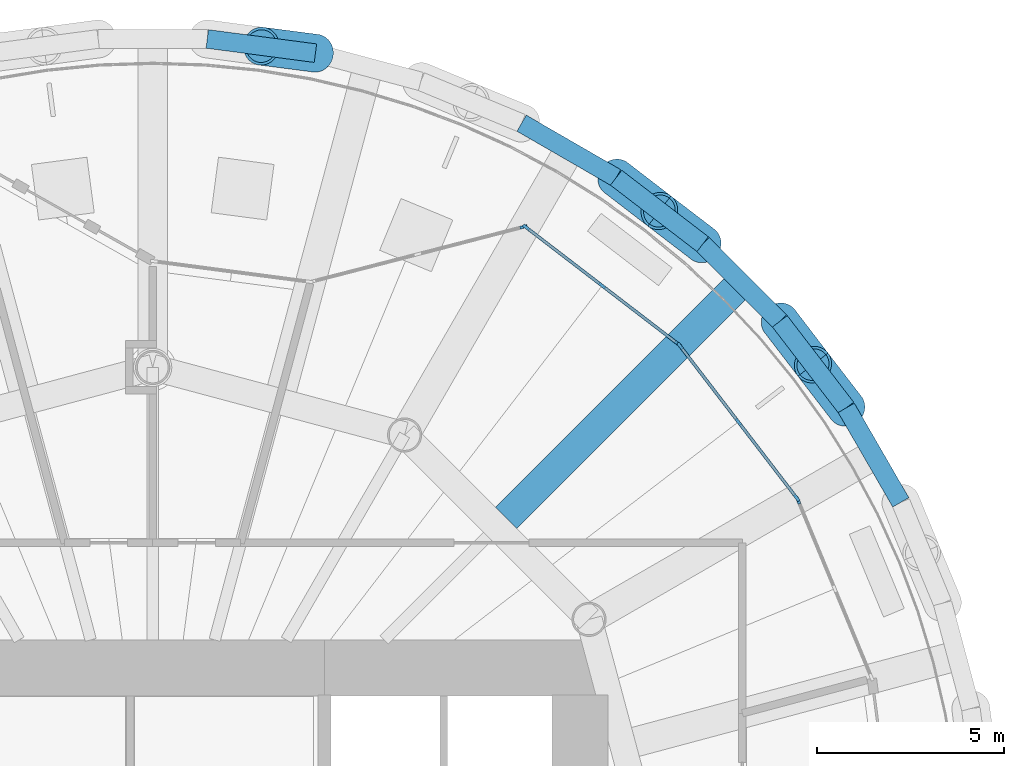
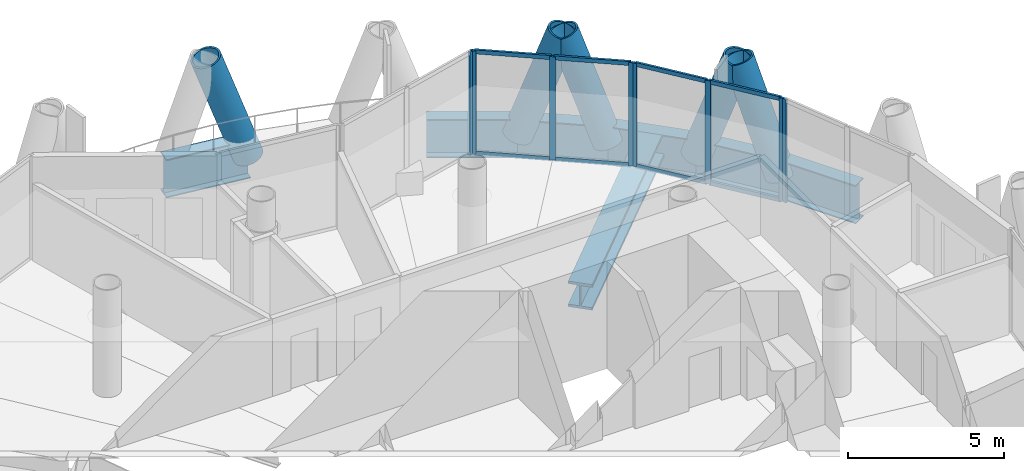
# One storey, part 6 of 14: 21 members, 7 beams, 4 elements without a shape of their own.
"""IFC4 building model written with IfcOpenShell, lengths in metres."""

import ifcopenshell
import ifcopenshell.guid

model = None  # the IFC model being written
_history = None  # IfcOwnerHistory: only IFC2X3 demands one
_inside = {}  # id of a spatial element -> (the spatial element, [elements in it])
_under = {}  # id of a project, library or spatial element -> (it, [spatial elements below it])
_declared = {}  # id of a project -> (the project, [libraries it declares])
_typed = {}  # id of a type object -> (the type object, [elements of that type])
_made_of = {}  # id of a material, layer set ... -> (it, [elements and type objects made of it])


def new_model(schema):
    """Start an empty IFC model of exactly this schema.

    Asked for "IFC4X3", IfcOpenShell would pick the latest addendum, in which some entities
    have other attributes; the version numbers below select the first issue.
    IFC2X3 requires an IfcOwnerHistory on every rooted entity: one is made here for all.
    """
    global model, _history
    if schema == "IFC4X3":
        model = ifcopenshell.file(schema_version=(4, 3, 0, 0))
    else:
        model = ifcopenshell.file(schema=schema)
    _inside.clear()
    _under.clear()
    _declared.clear()
    _typed.clear()
    _made_of.clear()
    _history = None
    if model.schema == "IFC2X3":
        org = make("IfcOrganization", Name="unknown")
        user = make(
            "IfcPersonAndOrganization",
            ThePerson=make("IfcPerson", FamilyName="unknown"),
            TheOrganization=org,
        )
        app = make(
            "IfcApplication",
            ApplicationDeveloper=org,
            Version="unknown",
            ApplicationFullName="unknown",
            ApplicationIdentifier="unknown",
        )
        _history = make(
            "IfcOwnerHistory",
            OwningUser=user,
            OwningApplication=app,
            ChangeAction="ADDED",
            CreationDate=0,
        )
    return model


def make(cls, **values):
    """One entity of the class cls with the attributes given. An attribute that is None is left unset."""
    return model.create_entity(
        cls, **{name: value for name, value in values.items() if value is not None}
    )


def rooted(cls, **values):
    """An entity with a GlobalId (a new one), such as an element, a storey or a relation."""
    return make(cls, GlobalId=ifcopenshell.guid.new(), OwnerHistory=_history, **values)


def si_unit(unit_type, name, prefix=None):
    """IfcSIUnit, for example si_unit("LENGTHUNIT", "METRE", prefix="MILLI")."""
    return make("IfcSIUnit", UnitType=unit_type, Prefix=prefix, Name=name)


def assignment(units):
    """IfcUnitAssignment: the units of a project."""
    return None if units is None else make("IfcUnitAssignment", Units=units)


def point(xyz):
    """IfcCartesianPoint."""
    return None if xyz is None else make("IfcCartesianPoint", Coordinates=xyz)


def direction(xyz):
    """IfcDirection."""
    return None if xyz is None else make("IfcDirection", DirectionRatios=xyz)


def frame(location, z_axis=None, x_axis=None):
    """IfcAxis2Placement3D, a coordinate frame: its origin and axes. An axis left out is left unset."""
    return make(
        "IfcAxis2Placement3D",
        Location=point(location),
        Axis=direction(z_axis),
        RefDirection=direction(x_axis),
    )


def frame_2d(location, x_axis=None):
    """IfcAxis2Placement2D, a coordinate frame in the plane: its origin and x axis."""
    return make(
        "IfcAxis2Placement2D", Location=point(location), RefDirection=direction(x_axis)
    )


def origin():
    """The frame at (0, 0, 0) with its axes left unset."""
    return frame((0.0, 0.0, 0.0))


def origin_2d():
    """The frame at (0, 0) in the plane with its x axis left unset."""
    return frame_2d((0.0, 0.0))


def place(relative_to, where):
    """IfcLocalPlacement: puts the frame where relative to a parent placement (None: the world)."""
    return make(
        "IfcLocalPlacement", PlacementRelTo=relative_to, RelativePlacement=where
    )


def context(
    kind, dimensions, precision=None, world=None, true_north=None, identifier=None
):
    """IfcGeometricRepresentationContext, for example the 3D "Model" context."""
    return make(
        "IfcGeometricRepresentationContext",
        ContextIdentifier=identifier,
        ContextType=kind,
        CoordinateSpaceDimension=dimensions,
        Precision=precision,
        WorldCoordinateSystem=world,
        TrueNorth=true_north,
    )


def subcontext(parent, identifier, kind, view, scale=None):
    """IfcGeometricRepresentationSubContext, for example "Body" below "Model"."""
    return make(
        "IfcGeometricRepresentationSubContext",
        ContextIdentifier=identifier,
        ContextType=kind,
        ParentContext=parent,
        TargetScale=scale,
        TargetView=view,
    )


def project(units=None, contexts=None):
    """IfcProject with its units and contexts."""
    return rooted(
        "IfcProject",
        Name="project",
        RepresentationContexts=contexts,
        UnitsInContext=assignment(units),
    )


def spatial(cls, under=None, at=None, **own):
    """A site, building, storey or space (cls), placed at a placement, below another one or the project."""
    s = rooted(cls, ObjectPlacement=at, **own)
    if under is not None:
        _under.setdefault(under.id(), (under, []))[1].append(s)
    return s


def profile(cls, at=None, kind="AREA", **sizes):
    """A parametric profile (cls). Its sizes go by their IFC names, for example OverallWidth=200.0."""
    return make(cls, ProfileType=kind, Position=at, **sizes)


def rectangle(**sizes):
    """IfcRectangleProfileDef."""
    return profile("IfcRectangleProfileDef", **sizes)


def hollow_circle(**sizes):
    """IfcCircleHollowProfileDef."""
    return profile("IfcCircleHollowProfileDef", **sizes)


def i_section(**sizes):
    """IfcIShapeProfileDef."""
    return profile("IfcIShapeProfileDef", **sizes)


def extrude(swept, where, along, depth):
    """IfcExtrudedAreaSolid: the profile swept, set in the frame where, extruded along a direction by depth."""
    return make(
        "IfcExtrudedAreaSolid",
        SweptArea=swept,
        Position=where,
        ExtrudedDirection=direction(along),
        Depth=depth,
    )


def shape(context_of_items, identifier, shape_type, items):
    """IfcShapeRepresentation: the items that make up one representation, for example the "Body"."""
    return make(
        "IfcShapeRepresentation",
        ContextOfItems=context_of_items,
        RepresentationIdentifier=identifier,
        RepresentationType=shape_type,
        Items=items,
    )


def material(Name=None, Category=None):
    """IfcMaterial."""
    return make("IfcMaterial", Name=Name, Category=Category)


def material_profile(
    of_material, cross_section, Name=None, Category=None, Priority=None
):
    """IfcMaterialProfile: a cross section and its material."""
    return make(
        "IfcMaterialProfile",
        Name=Name,
        Material=of_material,
        Profile=cross_section,
        Priority=Priority,
        Category=Category,
    )


def profile_set(profiles, Name=None, composite=None):
    """IfcMaterialProfileSet."""
    return make(
        "IfcMaterialProfileSet",
        Name=Name,
        MaterialProfiles=profiles,
        CompositeProfile=composite,
    )


def made_of(thing, what):
    """Note that an element or type object is made of a material, layer set ...; save() writes the relation."""
    if what is not None:
        _made_of.setdefault(what.id(), (what, []))[1].append(thing)
    return thing


def type_object(cls, material=None, **own):
    """A type object (cls), such as IfcWallType, which elements share."""
    return made_of(rooted(cls, **own), material)


def element(
    cls,
    number,
    at=None,
    inside=None,
    cuts=None,
    type_object=None,
    material=None,
    context=None,
    identifier="Body",
    shape_type=None,
    held_by="IfcProductDefinitionShape",
    body=None,
    shapes=None,
    **own,
):
    """One element of the class cls, such as IfcWall. Its Tag is "e" and its number.

    at: its placement. inside: the storey or other place that contains it. cuts: it is an
    opening in that element (IfcRelVoidsElement). A single representation is given by context,
    identifier, shape_type and body (its items); several are given by shapes. held_by: the class
    of the entity that holds the representations. save() writes the other relations.
    """
    e = rooted(cls, Tag="e%d" % number, ObjectPlacement=at, **own)
    if body is not None:
        shapes = [shape(context, identifier, shape_type, body)]
    if shapes is not None:
        e.Representation = make(held_by, Representations=shapes)
    if inside is not None:
        _inside.setdefault(inside.id(), (inside, []))[1].append(e)
    if cuts is not None:
        rooted(
            "IfcRelVoidsElement", RelatingBuildingElement=cuts, RelatedOpeningElement=e
        )
    if type_object is not None:
        _typed.setdefault(type_object.id(), (type_object, []))[1].append(e)
    return made_of(e, material)


def aggregate(whole, parts):
    """IfcRelAggregates: a whole, such as a stair, and the parts it consists of."""
    return rooted("IfcRelAggregates", RelatingObject=whole, RelatedObjects=parts)


def save(model, path):
    """Write the relations noted so far, then the file.

    IfcRelAggregates (storeys below a building ...), IfcRelContainedInSpatialStructure (elements
    in a storey), IfcRelDefinesByType, IfcRelAssociatesMaterial and IfcRelDeclares: one each for
    every whole, place, type object, material and project.
    """
    for whole, parts in _under.values():
        aggregate(whole, parts)
    for where, things in _inside.values():
        rooted(
            "IfcRelContainedInSpatialStructure",
            RelatedElements=things,
            RelatingStructure=where,
        )
    for kind, things in _typed.values():
        rooted("IfcRelDefinesByType", RelatedObjects=things, RelatingType=kind)
    for what, things in _made_of.values():
        rooted("IfcRelAssociatesMaterial", RelatedObjects=things, RelatingMaterial=what)
    for by, libraries in _declared.values():
        rooted("IfcRelDeclares", RelatingContext=by, RelatedDefinitions=libraries)
    model.write(path)


model = new_model("IFC4")

# Units and contexts
model_context = context("Model", 3, precision=1e-05, world=origin(), true_north=direction((0.0, 1.0)))
body_context = subcontext(model_context, "Body", "Model", "MODEL_VIEW")
ifc_project = project(units=[si_unit("LENGTHUNIT", "METRE"), si_unit("AREAUNIT", "SQUARE_METRE"), si_unit("VOLUMEUNIT", "CUBIC_METRE"), si_unit("PLANEANGLEUNIT", "RADIAN"), si_unit("MASSUNIT", "GRAM", prefix="KILO")], contexts=[model_context])

# Site, building, storey
site_placement = place(None, origin())
site = spatial("IfcSite", under=ifc_project, at=site_placement, CompositionType="ELEMENT")
building_placement = place(site_placement, origin())
building = spatial("IfcBuilding", under=site, at=building_placement, Name="Qaws Media Tower", CompositionType="ELEMENT")
storey_placement = place(building_placement, frame((0.0, 0.0, 248.60009765625)))
storey = spatial("IfcBuildingStorey", under=building, at=storey_placement, Name="L57", CompositionType="ELEMENT", Elevation=248.60009765625)

# Curtain wall, member
ifc_material_1 = material(Name="Aluminium and clear glass", Category="aluminium")
curtain_wall_type_1 = type_object("IfcCurtainWallType", Name="Unitised curtain wall CW-C", PredefinedType="NOTDEFINED", material=ifc_material_1)
curtain_wall_1_placement = place(storey_placement, origin())
curtain_wall_1 = element("IfcCurtainWall", 1, at=curtain_wall_1_placement, inside=storey, type_object=curtain_wall_type_1, Name="CWC curtain wall L57-02", PredefinedType="NOTDEFINED")
ifc_material_2 = material(Name="Aluminium mullion", Category="aluminium")
ifc_material_profile_1 = material_profile(ifc_material_2, rectangle(XDim=0.080078125, YDim=0.199951171875, at=origin_2d()), Name="80x200")
ifc_profile_set_1 = profile_set([ifc_material_profile_1], Name="Aluminium mullion")
member_type_1 = type_object("IfcMemberType", Name="Curtain wall mullion 80x200", PredefinedType="MULLION", material=ifc_profile_set_1)
member_1_placement = place(storey_placement, frame((77.29248046875, 59.93798828125, 0.0), z_axis=(0.0, 0.0, 1.0), x_axis=(-0.923879560223, -0.382683365464, 0.0)))
member_1 = element("IfcMember", 2, at=member_1_placement, type_object=member_type_1, Name="CWC mullion 3", PredefinedType="MULLION", context=body_context, shape_type="SweptSolid", body=[
    extrude(rectangle(XDim=0.080078125, YDim=0.199951171875, at=origin_2d()), origin(), (0.0, 0.0, 1.0), 4.039794921875),
])
aggregate(curtain_wall_1, [member_1])

# Curtain wall, members
curtain_wall_2_placement = place(storey_placement, origin())
curtain_wall_2 = element("IfcCurtainWall", 3, at=curtain_wall_2_placement, inside=storey, type_object=curtain_wall_type_1, Name="CWC curtain wall L57-03", PredefinedType="NOTDEFINED")
member_2_placement = place(storey_placement, frame((77.2529296875, 60.0068359375, 0.0), z_axis=(0.0, 0.0, 1.0), x_axis=(-0.793353275596, -0.608761513321, 0.0)))
member_2 = element("IfcMember", 4, at=member_2_placement, type_object=member_type_1, Name="CWC mullion 1", PredefinedType="MULLION", context=body_context, shape_type="SweptSolid", body=[
    extrude(rectangle(XDim=0.080078125, YDim=0.199951171875, at=origin_2d()), origin(), (0.0, 0.0, 1.0), 4.039794921875),
])
member_3_placement = place(storey_placement, frame((75.69189453125, 62.040771484375, 0.0), z_axis=(0.0, 0.0, 1.0), x_axis=(-0.793353275596, -0.608761513321, 0.0)))
member_3 = element("IfcMember", 5, at=member_3_placement, type_object=member_type_1, Name="CWC mullion 2", PredefinedType="MULLION", context=body_context, shape_type="SweptSolid", body=[
    extrude(rectangle(XDim=0.080078125, YDim=0.199951171875, at=origin_2d()), origin(), (0.0, 0.0, 1.0), 4.039794921875),
])
member_4_placement = place(storey_placement, frame((74.131103515625, 64.074951171875, 0.0), z_axis=(0.0, 0.0, 1.0), x_axis=(-0.793353275596, -0.608761513321, 0.0)))
member_4 = element("IfcMember", 6, at=member_4_placement, type_object=member_type_1, Name="CWC mullion 3", PredefinedType="MULLION", context=body_context, shape_type="SweptSolid", body=[
    extrude(rectangle(XDim=0.080078125, YDim=0.199951171875, at=origin_2d()), origin(), (0.0, 0.0, 1.0), 4.039794921875),
])

curtain_wall_3_placement = place(storey_placement, origin())
curtain_wall_3 = element("IfcCurtainWall", 7, at=curtain_wall_3_placement, inside=storey, type_object=curtain_wall_type_1, Name="CWC curtain wall L57-04", PredefinedType="NOTDEFINED")
member_5_placement = place(storey_placement, frame((74.074951171875, 64.131103515625, 0.0), z_axis=(0.0, 0.0, 1.0), x_axis=(-0.608761513321, -0.793353275596, 0.0)))
member_5 = element("IfcMember", 8, at=member_5_placement, type_object=member_type_1, Name="CWC mullion 1", PredefinedType="MULLION", context=body_context, shape_type="SweptSolid", body=[
    extrude(rectangle(XDim=0.080078125, YDim=0.199951171875, at=origin_2d()), origin(), (0.0, 0.0, 1.0), 4.039794921875),
])
member_6_placement = place(storey_placement, frame((72.040771484375, 65.69189453125, 0.0), z_axis=(0.0, 0.0, 1.0), x_axis=(-0.608761513321, -0.793353275596, 0.0)))
member_6 = element("IfcMember", 9, at=member_6_placement, type_object=member_type_1, Name="CWC mullion 2", PredefinedType="MULLION", context=body_context, shape_type="SweptSolid", body=[
    extrude(rectangle(XDim=0.080078125, YDim=0.199951171875, at=origin_2d()), origin(), (0.0, 0.0, 1.0), 4.039794921875),
])
member_7_placement = place(storey_placement, frame((70.0068359375, 67.2529296875, 0.0), z_axis=(0.0, 0.0, 1.0), x_axis=(-0.608761513321, -0.793353275596, 0.0)))
member_7 = element("IfcMember", 10, at=member_7_placement, type_object=member_type_1, Name="CWC mullion 3", PredefinedType="MULLION", context=body_context, shape_type="SweptSolid", body=[
    extrude(rectangle(XDim=0.080078125, YDim=0.199951171875, at=origin_2d()), origin(), (0.0, 0.0, 1.0), 4.039794921875),
])

# Curtain wall, member
ifc_material_3 = material(Name="Aluminium and clear glass", Category="aluminium")
curtain_wall_type_2 = type_object("IfcCurtainWallType", Name="Loggia curtain wall CW-G", PredefinedType="NOTDEFINED", material=ifc_material_3)
curtain_wall_4_placement = place(storey_placement, origin())
curtain_wall_4 = element("IfcCurtainWall", 11, at=curtain_wall_4_placement, inside=storey, type_object=curtain_wall_type_2, Name="CWG curtain wall L57-05", PredefinedType="NOTDEFINED")
member_8_placement = place(storey_placement, frame((69.936279296875, 67.26708984375, 0.0), z_axis=(0.0, 0.0, 1.0), x_axis=(0.25022188147, -0.968188519883, 0.0)))
member_8 = element("IfcMember", 12, at=member_8_placement, type_object=member_type_1, Name="CWG mullion 1", PredefinedType="MULLION", context=body_context, shape_type="SweptSolid", body=[
    extrude(rectangle(XDim=0.080078125, YDim=0.199951171875, at=origin_2d()), origin(), (0.0, 0.0, 1.0), 4.039794921875),
])
aggregate(curtain_wall_4, [member_8])

# Member
ifc_material_4 = material(Name="Aluminium transom", Category="aluminium")
ifc_material_profile_2 = material_profile(ifc_material_4, rectangle(XDim=0.080078125, YDim=0.159912109375, at=origin_2d()), Name="80x160")
ifc_profile_set_2 = profile_set([ifc_material_profile_2], Name="Aluminium transom")
member_type_2 = type_object("IfcMemberType", Name="Curtain wall transom 80x160", PredefinedType="USERDEFINED", material=ifc_profile_set_2)
member_9_placement = place(storey_placement, frame((77.228515625, 60.03857421875, 0.039794921875), z_axis=(-0.608769876249, 0.793346858424, 0.0), x_axis=(-0.793346858424, -0.608769876249, 0.0)))
member_9 = element("IfcMember", 13, at=member_9_placement, type_object=member_type_2, Name="CWC transom 1.1", ObjectType="TRANSOM", PredefinedType="USERDEFINED", context=body_context, shape_type="SweptSolid", body=[
    extrude(rectangle(XDim=0.080078125, YDim=0.159912109375, at=origin_2d()), origin(), (0.0, 0.0, 1.0), 2.484130859375),
])

member_10_placement = place(storey_placement, frame((77.228515625, 60.03857421875, 4.0), z_axis=(-0.608769876249, 0.793346858424, 0.0), x_axis=(-0.793346858424, -0.608769876249, 0.0)))
member_10 = element("IfcMember", 14, at=member_10_placement, type_object=member_type_2, Name="CWC transom 1.2", ObjectType="TRANSOM", PredefinedType="USERDEFINED", context=body_context, shape_type="SweptSolid", body=[
    extrude(rectangle(XDim=0.080078125, YDim=0.159912109375, at=origin_2d()), origin(), (0.0, 0.0, 1.0), 2.484130859375),
])

member_11_placement = place(storey_placement, frame((75.667724609375, 62.072509765625, 0.039794921875), z_axis=(-0.608769876249, 0.793346858424, 0.0), x_axis=(-0.793346858424, -0.608769876249, 0.0)))
member_11 = element("IfcMember", 15, at=member_11_placement, type_object=member_type_2, Name="CWC transom 2.1", ObjectType="TRANSOM", PredefinedType="USERDEFINED", context=body_context, shape_type="SweptSolid", body=[
    extrude(rectangle(XDim=0.080078125, YDim=0.159912109375, at=origin_2d()), origin(), (0.0, 0.0, 1.0), 2.484130859375),
])

member_12_placement = place(storey_placement, frame((75.667724609375, 62.072509765625, 4.0), z_axis=(-0.608769876249, 0.793346858424, 0.0), x_axis=(-0.793346858424, -0.608769876249, 0.0)))
member_12 = element("IfcMember", 16, at=member_12_placement, type_object=member_type_2, Name="CWC transom 2.2", ObjectType="TRANSOM", PredefinedType="USERDEFINED", context=body_context, shape_type="SweptSolid", body=[
    extrude(rectangle(XDim=0.080078125, YDim=0.159912109375, at=origin_2d()), origin(), (0.0, 0.0, 1.0), 2.484130859375),
])

aggregate(curtain_wall_2, [member_2, member_3, member_4, member_9, member_10, member_11, member_12])

member_13_placement = place(storey_placement, frame((74.043212890625, 64.155517578125, 0.039794921875), z_axis=(-0.793346858424, 0.608769876249, 0.0), x_axis=(-0.608769876249, -0.793346858424, 0.0)))
member_13 = element("IfcMember", 17, at=member_13_placement, type_object=member_type_2, Name="CWC transom 1.1", ObjectType="TRANSOM", PredefinedType="USERDEFINED", context=body_context, shape_type="SweptSolid", body=[
    extrude(rectangle(XDim=0.080078125, YDim=0.159912109375, at=origin_2d()), origin(), (0.0, 0.0, 1.0), 2.484130859375),
])

member_14_placement = place(storey_placement, frame((74.043212890625, 64.155517578125, 4.0), z_axis=(-0.793346858424, 0.608769876249, 0.0), x_axis=(-0.608769876249, -0.793346858424, 0.0)))
member_14 = element("IfcMember", 18, at=member_14_placement, type_object=member_type_2, Name="CWC transom 1.2", ObjectType="TRANSOM", PredefinedType="USERDEFINED", context=body_context, shape_type="SweptSolid", body=[
    extrude(rectangle(XDim=0.080078125, YDim=0.159912109375, at=origin_2d()), origin(), (0.0, 0.0, 1.0), 2.484130859375),
])

member_15_placement = place(storey_placement, frame((72.00927734375, 65.71630859375, 0.039794921875), z_axis=(-0.793346858424, 0.608769876249, 0.0), x_axis=(-0.608769876249, -0.793346858424, 0.0)))
member_15 = element("IfcMember", 19, at=member_15_placement, type_object=member_type_2, Name="CWC transom 2.1", ObjectType="TRANSOM", PredefinedType="USERDEFINED", context=body_context, shape_type="SweptSolid", body=[
    extrude(rectangle(XDim=0.080078125, YDim=0.159912109375, at=origin_2d()), origin(), (0.0, 0.0, 1.0), 2.484130859375),
])

member_16_placement = place(storey_placement, frame((72.00927734375, 65.71630859375, 4.0), z_axis=(-0.793346858424, 0.608769876249, 0.0), x_axis=(-0.608769876249, -0.793346858424, 0.0)))
member_16 = element("IfcMember", 20, at=member_16_placement, type_object=member_type_2, Name="CWC transom 2.2", ObjectType="TRANSOM", PredefinedType="USERDEFINED", context=body_context, shape_type="SweptSolid", body=[
    extrude(rectangle(XDim=0.080078125, YDim=0.159912109375, at=origin_2d()), origin(), (0.0, 0.0, 1.0), 2.484130859375),
])

aggregate(curtain_wall_3, [member_5, member_6, member_7, member_13, member_14, member_15, member_16])

# Members
ifc_material_5 = material(Name="Steel S460", Category="steel")
ifc_material_profile_3 = material_profile(ifc_material_5, hollow_circle(Radius=0.508056640625, WallThickness=0.070068359375, at=origin_2d()), Name="CHS 1016x70")
ifc_profile_set_3 = profile_set([ifc_material_profile_3], Name="Steel S460")
member_type_3 = type_object("IfcMemberType", Name="Diagrid member CHS 1016x70", PredefinedType="USERDEFINED", material=ifc_profile_set_3)
for number, where, z_axis, x_axis, name in (
    (21, (78.583251953125, 62.4169921875, -0.91015625), (-0.200438651735, 0.2604988777, 0.944438818351), (-0.792543262775, -0.609815690704, 0.0), "DG3 diagrid L57 A03"),
    (22, (74.736328125, 66.8037109375, -0.91015625), (-0.261047778686, 0.199724883041, 0.9444384725), (-0.607642279632, -0.794210841026, 0.0), "DG3 diagrid L57 A04"),
    (23, (76.8037109375, 64.736328125, -0.91015625), (0.199724883041, -0.261047778686, 0.9444384725), (0.794210841026, 0.607642279632, 0.0), "DG3 diagrid L57 B04"),
    (24, (72.4169921875, 68.583251953125, -0.91015625), (0.2604988777, -0.200438651735, 0.944438818351), (0.609815690704, 0.792543262775, 0.0), "DG3 diagrid L57 B05"),
    (25, (64.3603515625, 71.920654296875, -0.91015625), (-0.325988765013, 0.042381833377, 0.944423160074), (-0.128925083807, -0.991654336332, 0.0), "DG3 diagrid L57 A06"),
):
    element("IfcMember", number, at=place(storey_placement, frame(where, z_axis=z_axis, x_axis=x_axis)), inside=storey, type_object=member_type_3, Name=name, ObjectType="DIAGRID", PredefinedType="USERDEFINED", context=body_context, shape_type="SweptSolid", body=[
        extrude(hollow_circle(Radius=0.508056640625, WallThickness=0.070068359375, at=origin_2d()), origin(), (0.0, 0.0, 1.0), 4.447021484375),
    ])

# Beams
ifc_material_6 = material(Name="Steel S460", Category="steel")
ifc_material_profile_4 = material_profile(ifc_material_6, i_section(OverallWidth=0.5, OverallDepth=1.5, WebThickness=0.02001953125, FlangeThickness=0.0400390625, at=origin_2d()), Name="PG 1500x500")
ifc_profile_set_4 = profile_set([ifc_material_profile_4], Name="Steel S460")
beam_type_1 = type_object("IfcBeamType", Name="Edge ring beam PG 1500x500", PredefinedType="BEAM", material=ifc_profile_set_4)
beam_1_placement = place(storey_placement, frame((80.045166015625, 59.88525390625, -0.91015625), z_axis=(-0.500054971751, 0.865993663503, 0.0), x_axis=(-0.865993663503, -0.500054971751, 0.0)))
element("IfcBeam", 26, at=beam_1_placement, inside=storey, type_object=beam_type_1, Name="RB4 edge ring beam L57-04", PredefinedType="BEAM", context=body_context, shape_type="SweptSolid", body=[
    extrude(i_section(OverallWidth=0.5, OverallDepth=1.5, WebThickness=0.02001953125, FlangeThickness=0.0400390625, at=origin_2d()), origin(), (0.0, 0.0, 1.0), 2.923583984375),
])
beam_2_placement = place(storey_placement, frame((78.583251953125, 62.4169921875, -0.91015625), z_axis=(-0.608729554356, 0.793377797555, 0.0), x_axis=(-0.793377797555, -0.608729554356, 0.0)))
element("IfcBeam", 27, at=beam_2_placement, inside=storey, type_object=beam_type_1, Name="RB4 edge ring beam L57-05", PredefinedType="BEAM", context=body_context, shape_type="SweptSolid", body=[
    extrude(i_section(OverallWidth=0.5, OverallDepth=1.5, WebThickness=0.02001953125, FlangeThickness=0.0400390625, at=origin_2d()), origin(), (0.0, 0.0, 1.0), 2.92333984375),
])
beam_3_placement = place(storey_placement, frame((76.8037109375, 64.736328125, -0.91015625), z_axis=(-0.707106781187, 0.707106781187, 0.0), x_axis=(-0.707106781187, -0.707106781187, 0.0)))
element("IfcBeam", 28, at=beam_3_placement, inside=storey, type_object=beam_type_1, Name="RB4 edge ring beam L57-06", PredefinedType="BEAM", context=body_context, shape_type="SweptSolid", body=[
    extrude(i_section(OverallWidth=0.5, OverallDepth=1.5, WebThickness=0.02001953125, FlangeThickness=0.0400390625, at=origin_2d()), origin(), (0.0, 0.0, 1.0), 2.923828125),
])
beam_4_placement = place(storey_placement, frame((74.736328125, 66.8037109375, -0.91015625), z_axis=(-0.793377797555, 0.608729554356, 0.0), x_axis=(-0.608729554356, -0.793377797555, 0.0)))
element("IfcBeam", 29, at=beam_4_placement, inside=storey, type_object=beam_type_1, Name="RB4 edge ring beam L57-07", PredefinedType="BEAM", context=body_context, shape_type="SweptSolid", body=[
    extrude(i_section(OverallWidth=0.5, OverallDepth=1.5, WebThickness=0.02001953125, FlangeThickness=0.0400390625, at=origin_2d()), origin(), (0.0, 0.0, 1.0), 2.92333984375),
])
for number, where, z_axis, x_axis, name in (
    (30, (72.4169921875, 68.583251953125, -0.91015625), (-0.865993663503, 0.500054971751, 0.0), (-0.500054971751, -0.865993663503, 0.0), "RB4 edge ring beam L57-08"),
    (31, (64.3603515625, 71.920654296875, -0.91015625), (-0.991446051142, 0.130517154715, 0.0), (-0.130517154715, -0.991446051142, 0.0), "RB4 edge ring beam L57-11"),
):
    element("IfcBeam", number, at=place(storey_placement, frame(where, z_axis=z_axis, x_axis=x_axis)), inside=storey, type_object=beam_type_1, Name=name, PredefinedType="BEAM", context=body_context, shape_type="SweptSolid", body=[
        extrude(i_section(OverallWidth=0.5, OverallDepth=1.5, WebThickness=0.02001953125, FlangeThickness=0.0400390625, at=origin_2d()), origin(), (0.0, 0.0, 1.0), 2.923583984375),
    ])
ifc_material_7 = material(Name="Steel S460", Category="steel")
ifc_material_profile_5 = material_profile(ifc_material_7, i_section(OverallWidth=0.800048828125, OverallDepth=1.0, WebThickness=0.0400390625, FlangeThickness=0.10009765625, at=origin_2d()), Name="PG 1000x800")
ifc_profile_set_5 = profile_set([ifc_material_profile_5], Name="Steel S460")
beam_type_2 = type_object("IfcBeamType", Name="Radial girder PG 1000x800", PredefinedType="BEAM", material=ifc_profile_set_5)
beam_5_placement = place(storey_placement, frame((69.46826171875, 59.46826171875, -0.66015625), z_axis=(0.707106781187, 0.707106781187, 0.0), x_axis=(-0.707106781187, 0.707106781187, 0.0)))
element("IfcBeam", 32, at=beam_5_placement, inside=storey, type_object=beam_type_2, Name="B1 radial beam L57 04", PredefinedType="BEAM", context=body_context, shape_type="SweptSolid", body=[
    extrude(i_section(OverallWidth=0.800048828125, OverallDepth=1.0, WebThickness=0.0400390625, FlangeThickness=0.10009765625, at=origin_2d()), origin(), (0.0, 0.0, 1.0), 8.912109375),
])

save(model, "model.ifc")
